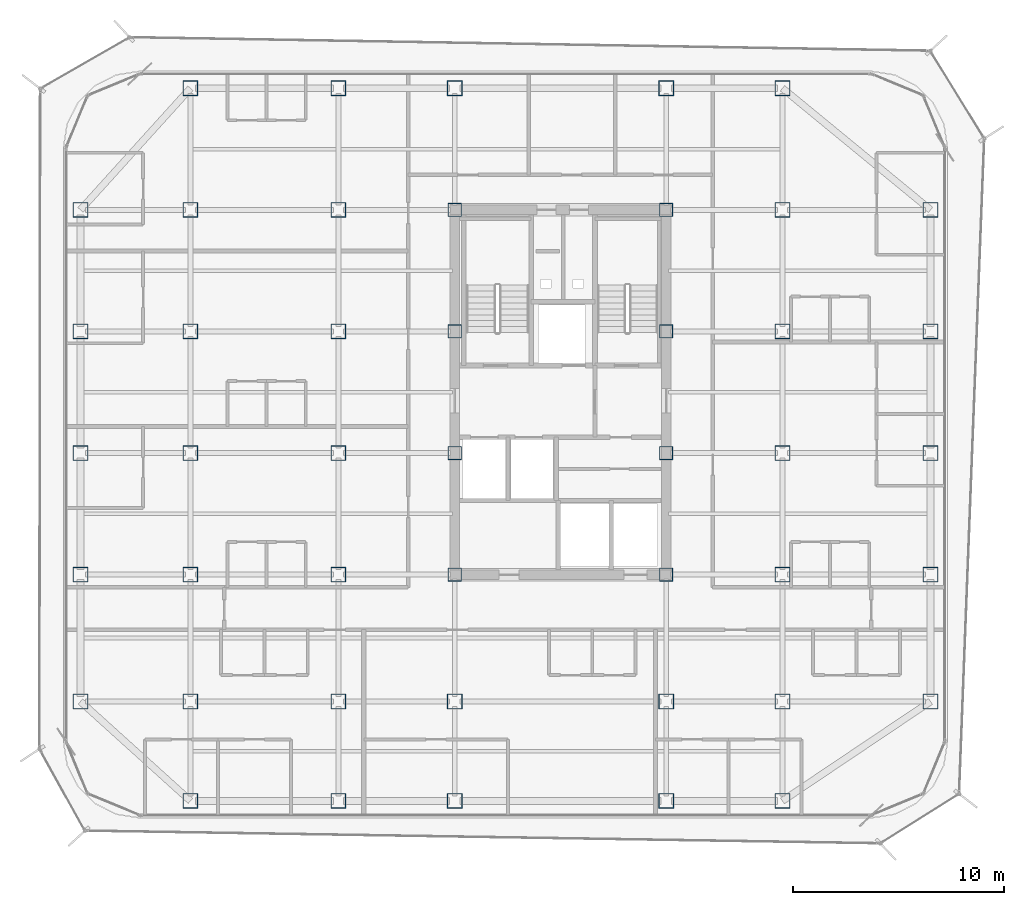
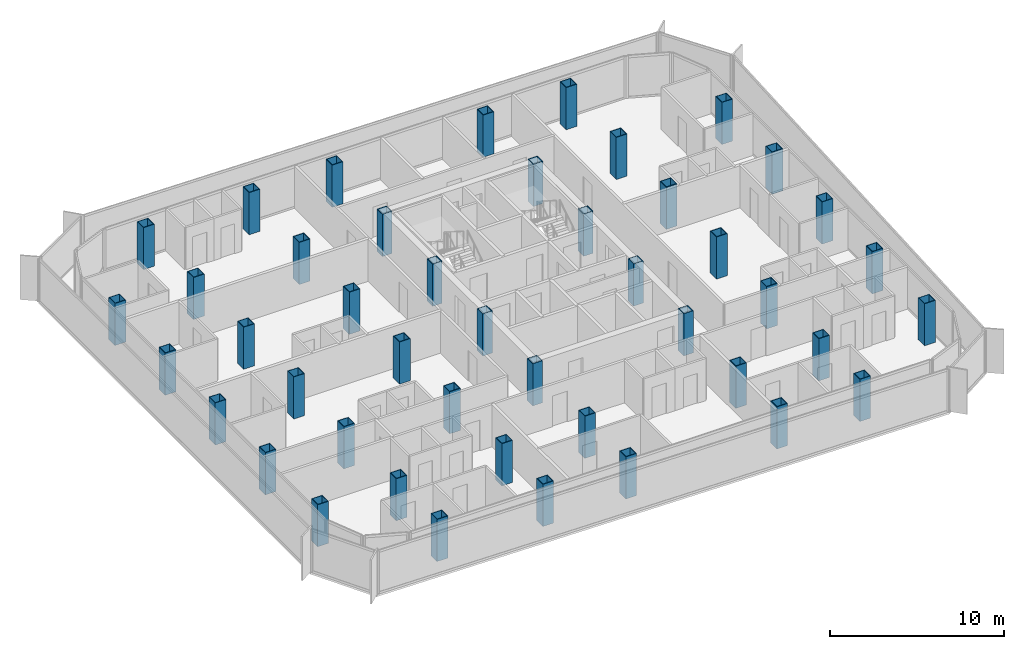
# One storey, part 1 of 16: 45 columns.
"""IFC4 building model written with IfcOpenShell, lengths in metres."""

from ifc_helpers import new_model, si_unit, direction, frame, origin, origin_2d, place, context, subcontext, project, spatial, hollow_rectangle, extrude, source, transform, mapped, material, material_profile, profile_set, type_object, element, save


model = new_model("IFC4")

# Units and contexts
model_context = context("Model", 3, precision=1e-05, world=origin(), true_north=direction((0.0, 1.0)))
body_context = subcontext(model_context, "Body", "Model", "MODEL_VIEW")
ifc_project = project(units=[si_unit("LENGTHUNIT", "METRE"), si_unit("AREAUNIT", "SQUARE_METRE"), si_unit("VOLUMEUNIT", "CUBIC_METRE"), si_unit("PLANEANGLEUNIT", "RADIAN"), si_unit("MASSUNIT", "GRAM", prefix="KILO")], contexts=[model_context])

# Site, building, storey
site_placement = place(None, origin())
site = spatial("IfcSite", under=ifc_project, at=site_placement, CompositionType="ELEMENT")
building_placement = place(site_placement, origin())
building = spatial("IfcBuilding", under=site, at=building_placement, Name="Kolveth Station Tower", CompositionType="ELEMENT")
storey_placement = place(building_placement, frame((0.0, 0.0, 156.10009765625)))
storey = spatial("IfcBuildingStorey", under=building, at=storey_placement, Name="L43", CompositionType="ELEMENT", Elevation=156.10009765625)

# Columns
ifc_material = material(Name="Steel S355", Category="steel")
ifc_material_profile_1 = material_profile(ifc_material, hollow_rectangle(XDim=0.719970703125, YDim=0.719970703125, WallThickness=0.0400390625, at=origin_2d()), Name="BOX720x720x40")
ifc_profile_set_1 = profile_set([ifc_material_profile_1], Name="Steel S355")
column_type_1 = type_object("IfcColumnType", Name="Col_C6", PredefinedType="COLUMN", material=ifc_profile_set_1)
shared_shape_1 = source(origin(), body_context, "Body", "SweptSolid", [
    extrude(hollow_rectangle(XDim=0.719970703125, YDim=0.719970703125, WallThickness=0.0400390625, at=origin_2d()), origin(), (0.0, 0.0, 1.0), 2.949951171875),
])
for number, where, z_axis, x_axis, name in (
    (1, (6.0, 0.800048828125, 0.0), (0.0, 0.0, 1.0), (1.0, 0.0, 0.0), "L43 Tower Column S-X60"),
    (2, (6.0, 34.5, 0.0), (0.0, 0.0, 1.0), (1.0, 0.0, 0.0), "L43 Tower Column N-X60"),
    (3, (13.0, 0.800048828125, 0.0), (0.0, 0.0, 1.0), (1.0, 0.0, 0.0), "L43 Tower Column S-X130"),
    (4, (13.0, 34.5, 0.0), (0.0, 0.0, 1.0), (1.0, 0.0, 0.0), "L43 Tower Column N-X130"),
    (5, (18.5, 0.800048828125, 0.0), (0.0, 0.0, 1.0), (1.0, 0.0, 0.0), "L43 Tower Column S-X185"),
    (6, (18.5, 34.5, 0.0), (0.0, 0.0, 1.0), (1.0, 0.0, 0.0), "L43 Tower Column N-X185"),
    (7, (28.5, 0.800048828125, 0.0), (0.0, 0.0, 1.0), (1.0, 0.0, 0.0), "L43 Tower Column S-X285"),
    (8, (28.5, 34.5, 0.0), (0.0, 0.0, 1.0), (1.0, 0.0, 0.0), "L43 Tower Column N-X285"),
    (9, (34.0, 0.800048828125, 0.0), (0.0, 0.0, 1.0), (1.0, 0.0, 0.0), "L43 Tower Column S-X340"),
    (10, (34.0, 34.5, 0.0), (0.0, 0.0, 1.0), (1.0, 0.0, 0.0), "L43 Tower Column N-X340"),
    (11, (0.800048828125, 5.5, 0.0), (0.0, 0.0, 1.0), (1.0, 0.0, 0.0), "L43 Tower Column W-Y55"),
    (12, (41.0, 5.5, 0.0), (0.0, 0.0, 1.0), (1.0, 0.0, 0.0), "L43 Tower Column E-Y55"),
    (13, (0.800048828125, 11.5, 0.0), (0.0, 0.0, 1.0), (1.0, 0.0, 0.0), "L43 Tower Column W-Y115"),
    (14, (41.0, 11.5, 0.0), (0.0, 0.0, 1.0), (1.0, 0.0, 0.0), "L43 Tower Column E-Y115"),
    (15, (0.800048828125, 17.25, 0.0), (0.0, 0.0, 1.0), (1.0, 0.0, 0.0), "L43 Tower Column W-Y172"),
    (16, (41.0, 17.25, 0.0), (0.0, 0.0, 1.0), (1.0, 0.0, 0.0), "L43 Tower Column E-Y172"),
    (17, (0.800048828125, 23.0, 0.0), (0.0, 0.0, 1.0), (1.0, 0.0, 0.0), "L43 Tower Column W-Y230"),
    (18, (41.0, 23.0, 0.0), (0.0, 0.0, 1.0), (1.0, 0.0, 0.0), "L43 Tower Column E-Y230"),
    (19, (0.800048828125, 28.75, 0.0), (0.0, 0.0, 1.0), (1.0, 0.0, 0.0), "L43 Tower Column W-Y287"),
    (20, (41.0, 28.75, 0.0), (0.0, 0.0, 1.0), (1.0, 0.0, 0.0), "L43 Tower Column E-Y287"),
    (21, (6.0, 5.5, 0.0), (0.0, 0.0, 1.0), (1.0, 0.0, 0.0), "L43 Tower Column G-60-55"),
    (22, (6.0, 11.5, 0.0), (0.0, 0.0, 1.0), (1.0, 0.0, 0.0), "L43 Tower Column G-60-115"),
    (23, (6.0, 17.25, 0.0), (0.0, 0.0, 1.0), (1.0, 0.0, 0.0), "L43 Tower Column G-60-172"),
    (24, (6.0, 23.0, 0.0), (0.0, 0.0, 1.0), (1.0, 0.0, 0.0), "L43 Tower Column G-60-230"),
    (25, (6.0, 28.75, 0.0), (0.0, 0.0, 1.0), (1.0, 0.0, 0.0), "L43 Tower Column G-60-287"),
    (26, (13.0, 5.5, 0.0), (0.0, 0.0, 1.0), (1.0, 0.0, 0.0), "L43 Tower Column G-130-55"),
    (27, (13.0, 11.5, 0.0), (0.0, 0.0, 1.0), (1.0, 0.0, 0.0), "L43 Tower Column G-130-115"),
    (28, (13.0, 17.25, 0.0), (0.0, 0.0, 1.0), (1.0, 0.0, 0.0), "L43 Tower Column G-130-172"),
    (29, (13.0, 23.0, 0.0), (0.0, 0.0, 1.0), (1.0, 0.0, 0.0), "L43 Tower Column G-130-230"),
    (30, (13.0, 28.75, 0.0), (0.0, 0.0, 1.0), (1.0, 0.0, 0.0), "L43 Tower Column G-130-287"),
    (31, (18.5, 5.5, 0.0), (0.0, 0.0, 1.0), (1.0, 0.0, 0.0), "L43 Tower Column G-185-55"),
    (32, (28.5, 5.5, 0.0), (0.0, 0.0, 1.0), (1.0, 0.0, 0.0), "L43 Tower Column G-285-55"),
    (33, (34.0, 5.5, 0.0), (0.0, 0.0, 1.0), (1.0, 0.0, 0.0), "L43 Tower Column G-340-55"),
    (34, (34.0, 11.5, 0.0), (0.0, 0.0, 1.0), (1.0, 0.0, 0.0), "L43 Tower Column G-340-115"),
    (35, (34.0, 17.25, 0.0), (0.0, 0.0, 1.0), (1.0, 0.0, 0.0), "L43 Tower Column G-340-172"),
    (36, (34.0, 23.0, 0.0), (0.0, 0.0, 1.0), (1.0, 0.0, 0.0), "L43 Tower Column G-340-230"),
    (37, (34.0, 28.75, 0.0), (0.0, 0.0, 1.0), (1.0, 0.0, 0.0), "L43 Tower Column G-340-287"),
):
    element("IfcColumn", number, at=place(storey_placement, frame(where, z_axis=z_axis, x_axis=x_axis)), inside=storey, type_object=column_type_1, Name=name, PredefinedType="COLUMN", context=body_context, shape_type="MappedRepresentation", body=[
        mapped(shared_shape_1, transform((0.0, 0.0, 0.0), x_axis=(1.0, 0.0, 0.0), y_axis=(0.0, 1.0, 0.0), z_axis=(0.0, 0.0, 1.0), scale=1.0)),
    ])
ifc_material_profile_2 = material_profile(ifc_material, hollow_rectangle(XDim=0.639892578125, YDim=0.639892578125, WallThickness=0.034912109375, at=origin_2d()), Name="BOX640x640x35")
ifc_profile_set_2 = profile_set([ifc_material_profile_2], Name="Steel S355")
column_type_2 = type_object("IfcColumnType", Name="Col_C7", PredefinedType="COLUMN", material=ifc_profile_set_2)
shared_shape_2 = source(origin(), body_context, "Body", "SweptSolid", [
    extrude(hollow_rectangle(XDim=0.639892578125, YDim=0.639892578125, WallThickness=0.034912109375, at=origin_2d()), origin(), (0.0, 0.0, 1.0), 2.949951171875),
])
for number, where, z_axis, x_axis, name in (
    (38, (18.5, 11.5, 0.0), (0.0, 0.0, 1.0), (1.0, 0.0, 0.0), "L43 Tower Column G-185-115"),
    (39, (18.5, 17.25, 0.0), (0.0, 0.0, 1.0), (1.0, 0.0, 0.0), "L43 Tower Column G-185-172"),
    (40, (18.5, 23.0, 0.0), (0.0, 0.0, 1.0), (1.0, 0.0, 0.0), "L43 Tower Column G-185-230"),
    (41, (18.5, 28.75, 0.0), (0.0, 0.0, 1.0), (1.0, 0.0, 0.0), "L43 Tower Column G-185-287"),
    (42, (28.5, 11.5, 0.0), (0.0, 0.0, 1.0), (1.0, 0.0, 0.0), "L43 Tower Column G-285-115"),
    (43, (28.5, 17.25, 0.0), (0.0, 0.0, 1.0), (1.0, 0.0, 0.0), "L43 Tower Column G-285-172"),
    (44, (28.5, 23.0, 0.0), (0.0, 0.0, 1.0), (1.0, 0.0, 0.0), "L43 Tower Column G-285-230"),
    (45, (28.5, 28.75, 0.0), (0.0, 0.0, 1.0), (1.0, 0.0, 0.0), "L43 Tower Column G-285-287"),
):
    element("IfcColumn", number, at=place(storey_placement, frame(where, z_axis=z_axis, x_axis=x_axis)), inside=storey, type_object=column_type_2, Name=name, PredefinedType="COLUMN", context=body_context, shape_type="MappedRepresentation", body=[
        mapped(shared_shape_2, transform((0.0, 0.0, 0.0), x_axis=(1.0, 0.0, 0.0), y_axis=(0.0, 1.0, 0.0), z_axis=(0.0, 0.0, 1.0), scale=1.0)),
    ])

save(model, "model.ifc")
